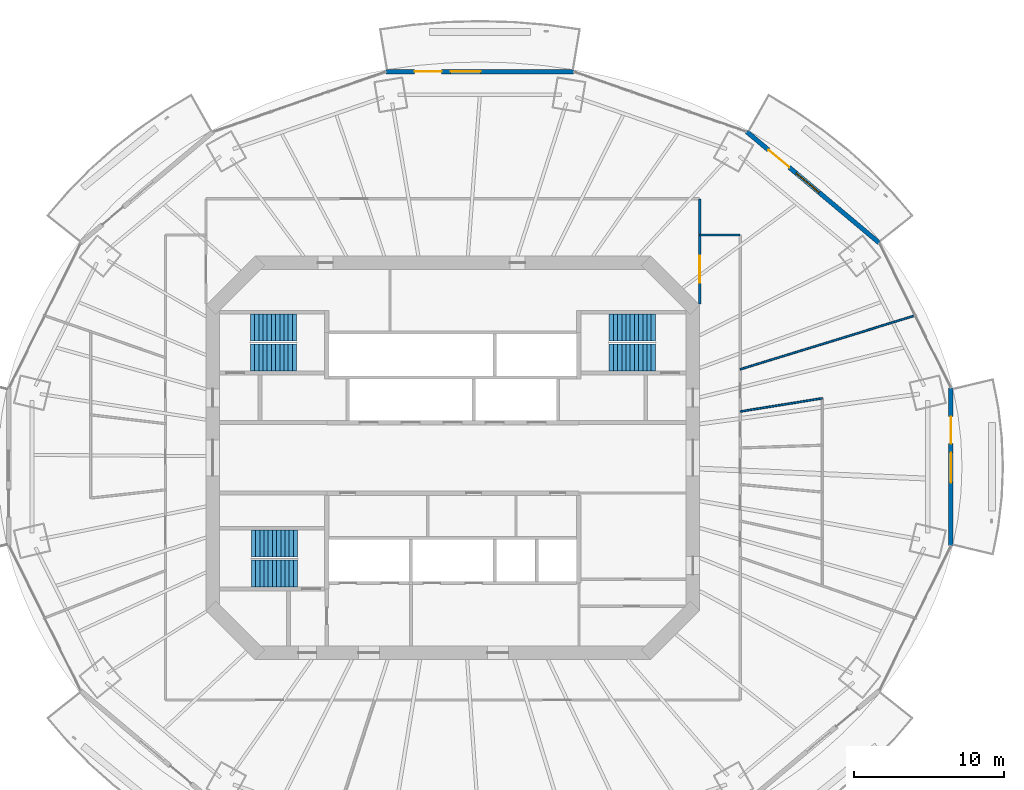
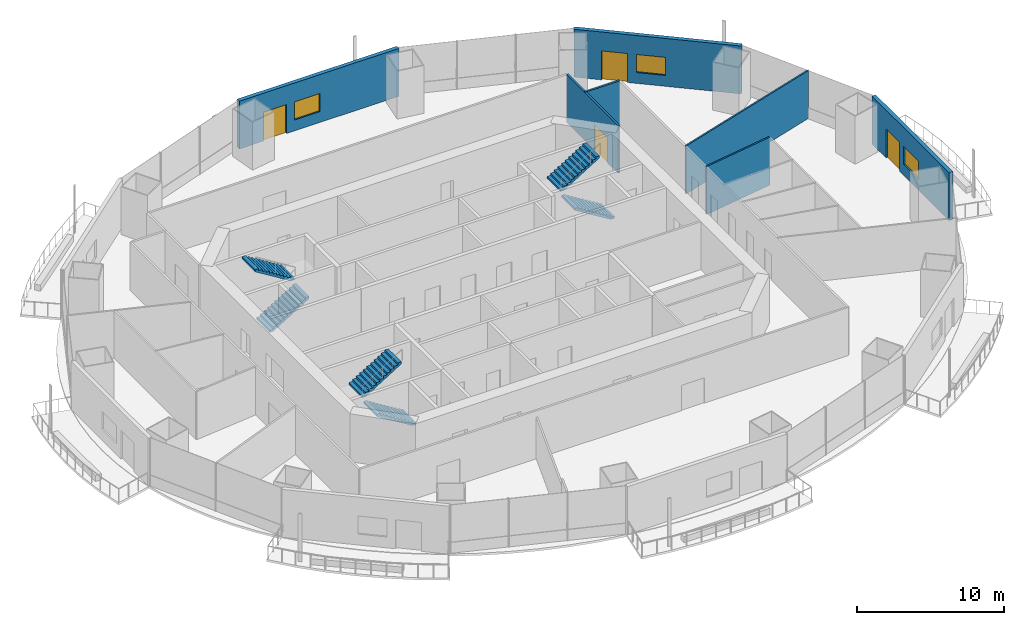
# One storey, part 14 of 20: 7 walls, 6 stair flights, 4 doors, 3 windows, 7 openings, 3 elements without a shape of their own.
"""IFC4 building model written with IfcOpenShell, lengths in metres."""

from ifc_helpers import new_model, si_unit, direction, frame, frame_2d, origin, place, context, subcontext, project, spatial, polyline, rectangle, outline, extrude, material, layer, layer_set, type_object, element, fill, aggregate, save


model = new_model("IFC4")

# Units and contexts
model_context = context("Model", 3, precision=1e-05, world=origin(), true_north=direction((0.0, 1.0)))
body_context = subcontext(model_context, "Body", "Model", "MODEL_VIEW")
ifc_project = project(units=[si_unit("LENGTHUNIT", "METRE"), si_unit("AREAUNIT", "SQUARE_METRE"), si_unit("VOLUMEUNIT", "CUBIC_METRE"), si_unit("PLANEANGLEUNIT", "RADIAN"), si_unit("MASSUNIT", "GRAM", prefix="KILO")], contexts=[model_context])

# Site, building, storey
site_placement = place(None, origin())
site = spatial("IfcSite", under=ifc_project, at=site_placement, CompositionType="ELEMENT")
building_placement = place(site_placement, origin())
building = spatial("IfcBuilding", under=site, at=building_placement, Name="Marenthal Gate Tower", CompositionType="ELEMENT")
storey_placement = place(building_placement, frame((0.0, 0.0, 190.10009765625)))
storey = spatial("IfcBuildingStorey", under=building, at=storey_placement, Name="L41", CompositionType="ELEMENT", Elevation=190.10009765625)

# Walls
ifc_material_1 = material(Name="Gypsum board on steel studs", Category="steel")
ifc_layer_1 = layer(ifc_material_1, 0.1201171875)
ifc_layer_set_1 = layer_set([ifc_layer_1], Name="Partition 120")
wall_type_1 = type_object("IfcWallType", Name="Partition 120", PredefinedType="PARTITIONING", material=ifc_layer_set_1)
wall_1_placement = place(storey_placement, frame((19.14990234375, 5.8935546875, 0.0), z_axis=(0.0, 0.0, 1.0), x_axis=(0.955768190607, 0.29412100541, 0.0)))
element("IfcWall", 1, at=wall_1_placement, inside=storey, type_object=wall_type_1, Name="Partition wall 64", PredefinedType="PARTITIONING", context=body_context, shape_type="SweptSolid", body=[
    extrude(rectangle(XDim=12.199462890625, YDim=0.1201171875, at=frame_2d((6.099609375, 0.0))), origin(), (0.0, 0.0, 1.0), 3.969970703125),
])
wall_2_placement = place(storey_placement, frame((24.61865234375, 3.96337890625, 0.0), z_axis=(0.0, 0.0, 1.0), x_axis=(-0.987288906474, -0.158935883783, 0.0)))
element("IfcWall", 2, at=wall_2_placement, inside=storey, type_object=wall_type_1, Name="Partition wall 70", PredefinedType="PARTITIONING", context=body_context, shape_type="SweptSolid", body=[
    extrude(rectangle(XDim=5.5390625, YDim=0.1201171875, at=frame_2d((2.76953125, 0.0))), origin(), (0.0, 0.0, 1.0), 3.969970703125),
])

# Wall, opening, door
ifc_material_2 = material(Name="Gypsum board on steel studs", Category="steel")
ifc_layer_2 = layer(ifc_material_2, 0.14990234375)
ifc_layer_set_2 = layer_set([ifc_layer_2], Name="Partition 150")
wall_type_2 = type_object("IfcWallType", Name="Partition 150", PredefinedType="PARTITIONING", material=ifc_layer_set_2)
wall_3_placement = place(storey_placement, frame((16.449951171875, 10.25, 0.0), z_axis=(0.0, 0.0, 1.0), x_axis=(0.0, 1.0, 0.0)))
wall_3 = element("IfcWall", 3, at=wall_3_placement, inside=storey, type_object=wall_type_2, Name="Partition wall 60", PredefinedType="PARTITIONING", context=body_context, shape_type="SweptSolid", body=[
    extrude(rectangle(XDim=7.01611328125, YDim=0.14990234375, at=frame_2d((3.508056640625, 0.0))), origin(), (0.0, 0.0, 1.0), 3.969970703125),
])
opening_1_placement = place(wall_3_placement, frame((1.402099609375, 0.0, 0.0)))
opening_1 = element("IfcOpeningElement", 4, at=opening_1_placement, cuts=wall_3, Name="Opening D014.06", PredefinedType="OPENING", context=body_context, shape_type="SweptSolid", body=[
    extrude(rectangle(XDim=1.800048828125, YDim=2.10009765625, at=frame_2d((0.89990234375, 1.050048828125))), frame((0.0, 0.0849609375, 0.0), z_axis=(0.0, -1.0, 0.0), x_axis=(1.0, 0.0, 0.0)), (0.0, 0.0, 1.0), 0.169921875),
])
ifc_material_3 = material(Name="Timber door", Category="wood")
door_type_1 = type_object("IfcDoorType", Name="Double door 1800 x 2100", OperationType="DOUBLE_DOOR_SINGLE_SWING", PredefinedType="DOOR", material=ifc_material_3)
door_1_placement = place(opening_1_placement, origin())
door_1 = element("IfcDoor", 5, at=door_1_placement, inside=storey, type_object=door_type_1, Name="Door D014.06", OperationType="DOUBLE_DOOR_SINGLE_SWING", OverallHeight=2.10009765625, OverallWidth=1.800048828125, PredefinedType="DOOR", context=body_context, shape_type="SweptSolid", body=[
    extrude(rectangle(XDim=1.800048828125, YDim=2.10009765625, at=frame_2d((0.89990234375, 1.050048828125))), frame((0.0, 0.02490234375, 0.0), z_axis=(0.0, -1.0, 0.0), x_axis=(1.0, 0.0, 0.0)), (0.0, 0.0, 1.0), 0.050048828125),
])
fill(opening_1, door_1)

# Wall
wall_4_placement = place(storey_placement, frame((16.449951171875, 14.853759765625, 0.0), z_axis=(0.0, 0.0, 1.0), x_axis=(1.0, 0.0, 0.0)))
element("IfcWall", 6, at=wall_4_placement, inside=storey, type_object=wall_type_2, Name="Partition wall 61", PredefinedType="PARTITIONING", context=body_context, shape_type="SweptSolid", body=[
    extrude(rectangle(XDim=2.699951171875, YDim=0.14990234375, at=frame_2d((1.35009765625, 0.0))), origin(), (0.0, 0.0, 1.0), 3.969970703125),
])

# Wall, openings, door, window
ifc_material_4 = material(Name="Terracotta cladding on insulated concrete-block backing", Category="masonry")
ifc_layer_3 = layer(ifc_material_4, 0.300048828125)
ifc_layer_set_3 = layer_set([ifc_layer_3], Name="Terracotta facade wall 300")
wall_type_3 = type_object("IfcWallType", Name="Terracotta facade wall 300", PredefinedType="SOLIDWALL", material=ifc_layer_set_3)
wall_5_placement = place(storey_placement, frame((28.41943359375, 14.3232421875, 0.0), z_axis=(0.0, 0.0, 1.0), x_axis=(-0.766073485726, 0.642752996468, 0.0)))
wall_5 = element("IfcWall", 7, at=wall_5_placement, inside=storey, type_object=wall_type_3, Name="Terracotta facade wall L41 bay 2", PredefinedType="SOLIDWALL", context=body_context, shape_type="SweptSolid", body=[
    extrude(rectangle(XDim=11.530029296875, YDim=0.300048828125, at=frame_2d((5.76513671875, 0.0))), origin(), (0.0, 0.0, 1.0), 3.969970703125),
])
opening_2_placement = place(wall_5_placement, frame((7.830078125, 0.0, 0.0)))
opening_2 = element("IfcOpeningElement", 8, at=opening_2_placement, cuts=wall_5, Name="Opening BD-L41-02", PredefinedType="OPENING", context=body_context, shape_type="SweptSolid", body=[
    extrude(rectangle(XDim=1.800048828125, YDim=2.39990234375, at=frame_2d((0.89990234375, 1.199951171875))), frame((0.0, 0.16015625, 0.0), z_axis=(0.0, -1.0, 0.0), x_axis=(1.0, 0.0, 0.0)), (0.0, 0.0, 1.0), 0.320068359375),
])
opening_3_placement = place(wall_5_placement, frame((5.22998046875, 0.0, 0.89990234375)))
opening_3 = element("IfcOpeningElement", 9, at=opening_3_placement, cuts=wall_5, Name="Opening WN2-L41-02", PredefinedType="OPENING", context=body_context, shape_type="SweptSolid", body=[
    extrude(rectangle(XDim=2.0, YDim=1.5, at=frame_2d((1.0, 0.75))), frame((0.0, 0.16015625, 0.0), z_axis=(0.0, -1.0, 0.0), x_axis=(1.0, 0.0, 0.0)), (0.0, 0.0, 1.0), 0.320068359375),
])
ifc_material_5 = material(Name="Aluminium and glass", Category="aluminium")
door_type_2 = type_object("IfcDoorType", Name="Balcony door 1800x2400", OperationType="DOUBLE_DOOR_SINGLE_SWING", PredefinedType="DOOR", material=ifc_material_5)
door_2_placement = place(opening_2_placement, origin())
door_2 = element("IfcDoor", 10, at=door_2_placement, inside=storey, type_object=door_type_2, Name="Balcony door L41 bay 2", OperationType="SINGLE_SWING_LEFT", OverallHeight=2.39990234375, OverallWidth=1.800048828125, PredefinedType="DOOR", context=body_context, shape_type="SweptSolid", body=[
    extrude(rectangle(XDim=1.800048828125, YDim=2.39990234375, at=frame_2d((0.89990234375, 1.199951171875))), frame((0.0, 0.02490234375, 0.0), z_axis=(0.0, -1.0, 0.0), x_axis=(1.0, 0.0, 0.0)), (0.0, 0.0, 1.0), 0.050048828125),
])
fill(opening_2, door_2)
ifc_material_6 = material(Name="Aluminium and glass", Category="aluminium")
window_type = type_object("IfcWindowType", Name="Window 2000x1500", PartitioningType="DOUBLE_PANEL_VERTICAL", PredefinedType="WINDOW", material=ifc_material_6)
window_1_placement = place(opening_3_placement, origin())
window_1 = element("IfcWindow", 11, at=window_1_placement, inside=storey, type_object=window_type, Name="Window L41 bay 2", OverallHeight=1.5, OverallWidth=2.0, PartitioningType="SINGLE_PANEL", PredefinedType="WINDOW", context=body_context, shape_type="SweptSolid", body=[
    extrude(rectangle(XDim=2.0, YDim=1.5, at=frame_2d((1.0, 0.75))), frame((0.0, 0.030029296875, 0.0), z_axis=(0.0, -1.0, 0.0), x_axis=(1.0, 0.0, 0.0)), (0.0, 0.0, 1.0), 0.06005859375),
])
fill(opening_3, window_1)

wall_6_placement = place(storey_placement, frame((8.0458984375, 25.744873046875, 0.0), z_axis=(0.0, 0.0, 1.0), x_axis=(-1.0, 0.0, 0.0)))
wall_6 = element("IfcWall", 12, at=wall_6_placement, inside=storey, type_object=wall_type_3, Name="Terracotta facade wall L41 bay 4", PredefinedType="SOLIDWALL", context=body_context, shape_type="SweptSolid", body=[
    extrude(rectangle(XDim=12.49169921875, YDim=0.300048828125, at=frame_2d((6.245849609375, 0.0))), origin(), (0.0, 0.0, 1.0), 3.969970703125),
])
opening_4_placement = place(wall_6_placement, frame((8.79150390625, 0.0, 0.0)))
opening_4 = element("IfcOpeningElement", 13, at=opening_4_placement, cuts=wall_6, Name="Opening BD-L41-04", PredefinedType="OPENING", context=body_context, shape_type="SweptSolid", body=[
    extrude(rectangle(XDim=1.800048828125, YDim=2.39990234375, at=frame_2d((0.89990234375, 1.199951171875))), frame((0.0, 0.16015625, 0.0), z_axis=(0.0, -1.0, 0.0), x_axis=(1.0, 0.0, 0.0)), (0.0, 0.0, 1.0), 0.320068359375),
])
opening_5_placement = place(wall_6_placement, frame((6.191650390625, 0.0, 0.89990234375)))
opening_5 = element("IfcOpeningElement", 14, at=opening_5_placement, cuts=wall_6, Name="Opening WN2-L41-04", PredefinedType="OPENING", context=body_context, shape_type="SweptSolid", body=[
    extrude(rectangle(XDim=2.0, YDim=1.5, at=frame_2d((1.0, 0.75))), frame((0.0, 0.16015625, 0.0), z_axis=(0.0, -1.0, 0.0), x_axis=(1.0, 0.0, 0.0)), (0.0, 0.0, 1.0), 0.320068359375),
])
door_3_placement = place(opening_4_placement, origin())
door_3 = element("IfcDoor", 15, at=door_3_placement, inside=storey, type_object=door_type_2, Name="Balcony door L41 bay 4", OperationType="SINGLE_SWING_LEFT", OverallHeight=2.39990234375, OverallWidth=1.800048828125, PredefinedType="DOOR", context=body_context, shape_type="SweptSolid", body=[
    extrude(rectangle(XDim=1.800048828125, YDim=2.39990234375, at=frame_2d((0.89990234375, 1.199951171875))), frame((0.0, 0.02490234375, 0.0), z_axis=(0.0, -1.0, 0.0), x_axis=(1.0, 0.0, 0.0)), (0.0, 0.0, 1.0), 0.050048828125),
])
fill(opening_4, door_3)
window_2_placement = place(opening_5_placement, origin())
window_2 = element("IfcWindow", 16, at=window_2_placement, inside=storey, type_object=window_type, Name="Window L41 bay 4", OverallHeight=1.5, OverallWidth=2.0, PartitioningType="SINGLE_PANEL", PredefinedType="WINDOW", context=body_context, shape_type="SweptSolid", body=[
    extrude(rectangle(XDim=2.0, YDim=1.5, at=frame_2d((1.0, 0.75))), frame((0.0, 0.030029296875, 0.0), z_axis=(0.0, -1.0, 0.0), x_axis=(1.0, 0.0, 0.0)), (0.0, 0.0, 1.0), 0.06005859375),
])
fill(opening_5, window_2)

wall_7_placement = place(storey_placement, frame((33.19970703125, -5.84033203125, 0.0), z_axis=(0.0, 0.0, 1.0), x_axis=(0.0, 1.0, 0.0)))
wall_7 = element("IfcWall", 17, at=wall_7_placement, inside=storey, type_object=wall_type_3, Name="Terracotta facade wall L41 bay 16", PredefinedType="SOLIDWALL", context=body_context, shape_type="SweptSolid", body=[
    extrude(rectangle(XDim=10.480712890625, YDim=0.300048828125, at=frame_2d((5.240234375, 0.0))), origin(), (0.0, 0.0, 1.0), 3.969970703125),
])
opening_6_placement = place(wall_7_placement, frame((6.780517578125, 0.0, 0.0)))
opening_6 = element("IfcOpeningElement", 18, at=opening_6_placement, cuts=wall_7, Name="Opening BD-L41-16", PredefinedType="OPENING", context=body_context, shape_type="SweptSolid", body=[
    extrude(rectangle(XDim=1.800048828125, YDim=2.39990234375, at=frame_2d((0.89990234375, 1.199951171875))), frame((0.0, 0.16015625, 0.0), z_axis=(0.0, -1.0, 0.0), x_axis=(1.0, 0.0, 0.0)), (0.0, 0.0, 1.0), 0.320068359375),
])
opening_7_placement = place(wall_7_placement, frame((4.1806640625, 0.0, 0.89990234375)))
opening_7 = element("IfcOpeningElement", 19, at=opening_7_placement, cuts=wall_7, Name="Opening WN2-L41-16", PredefinedType="OPENING", context=body_context, shape_type="SweptSolid", body=[
    extrude(rectangle(XDim=2.0, YDim=1.5, at=frame_2d((1.0, 0.75))), frame((0.0, 0.16015625, 0.0), z_axis=(0.0, -1.0, 0.0), x_axis=(1.0, 0.0, 0.0)), (0.0, 0.0, 1.0), 0.320068359375),
])
door_4_placement = place(opening_6_placement, origin())
door_4 = element("IfcDoor", 20, at=door_4_placement, inside=storey, type_object=door_type_2, Name="Balcony door L41 bay 16", OperationType="SINGLE_SWING_LEFT", OverallHeight=2.39990234375, OverallWidth=1.800048828125, PredefinedType="DOOR", context=body_context, shape_type="SweptSolid", body=[
    extrude(rectangle(XDim=1.800048828125, YDim=2.39990234375, at=frame_2d((0.89990234375, 1.199951171875))), frame((0.0, 0.02490234375, 0.0), z_axis=(0.0, -1.0, 0.0), x_axis=(1.0, 0.0, 0.0)), (0.0, 0.0, 1.0), 0.050048828125),
])
fill(opening_6, door_4)
window_3_placement = place(opening_7_placement, origin())
window_3 = element("IfcWindow", 21, at=window_3_placement, inside=storey, type_object=window_type, Name="Window L41 bay 16", OverallHeight=1.5, OverallWidth=2.0, PartitioningType="SINGLE_PANEL", PredefinedType="WINDOW", context=body_context, shape_type="SweptSolid", body=[
    extrude(rectangle(XDim=2.0, YDim=1.5, at=frame_2d((1.0, 0.75))), frame((0.0, 0.030029296875, 0.0), z_axis=(0.0, -1.0, 0.0), x_axis=(1.0, 0.0, 0.0)), (0.0, 0.0, 1.0), 0.06005859375),
])
fill(opening_7, window_3)

# Stair, stair flights
ifc_material_7 = material(Name="Concrete 40 MPa", Category="concrete")
stair_type = type_object("IfcStairType", Name="Exit stair 1800", PredefinedType="HALF_TURN_STAIR", material=ifc_material_7)
stair_1_placement = place(storey_placement, origin())
stair_1 = element("IfcStair", 22, at=stair_1_placement, inside=storey, type_object=stair_type, Name="Stair ST1", PredefinedType="HALF_TURN_STAIR")
ifc_material_8 = material(Name="Concrete 40 MPa", Category="concrete")
stair_flight_type = type_object("IfcStairFlightType", Name="Stair flight 1800", PredefinedType="STRAIGHT", material=ifc_material_8)
stair_flight_1_placement = place(storey_placement, frame((-13.5, 6.675048828125, 0.0), z_axis=(0.0, 0.0, 1.0), x_axis=(1.0, 0.0, 0.0)))
stair_flight_1 = element("IfcStairFlight", 23, at=stair_flight_1_placement, type_object=stair_flight_type, Name="ST1 flight 1", NumberOfRisers=12, NumberOfTreads=11, PredefinedType="STRAIGHT", RiserHeight=0.172916667, TreadLength=0.28, context=body_context, shape_type="SweptSolid", body=[
    extrude(outline(polyline([(0.0, 0.0), (0.0, 0.1728515625), (0.280029296875, 0.1728515625), (0.280029296875, 0.345947265625), (0.56005859375, 0.345947265625), (0.56005859375, 0.518798828125), (0.840087890625, 0.518798828125), (0.840087890625, 0.691650390625), (1.1201171875, 0.691650390625), (1.1201171875, 0.864501953125), (1.39990234375, 0.864501953125), (1.39990234375, 1.03759765625), (1.679931640625, 1.03759765625), (1.679931640625, 1.21044921875), (1.9599609375, 1.21044921875), (1.9599609375, 1.38330078125), (2.239990234375, 1.38330078125), (2.239990234375, 1.55615234375), (2.52001953125, 1.55615234375), (2.52001953125, 1.729248046875), (2.800048828125, 1.729248046875), (2.800048828125, 1.902099609375), (3.080078125, 1.902099609375), (3.080078125, 2.074951171875), (3.080078125, 1.725830078125), (0.285400390625, 0.0), (0.0, 0.0)])), frame((0.0, 0.89990234375, 0.0), z_axis=(0.0, -1.0, 0.0), x_axis=(1.0, 0.0, 0.0)), (0.0, 0.0, 1.0), 1.800048828125),
])
stair_flight_2_placement = place(storey_placement, frame((-10.419921875, 8.675048828125, 2.074951171875), z_axis=(0.0, 0.0, 1.0), x_axis=(-1.0, 0.0, 0.0)))
stair_flight_2 = element("IfcStairFlight", 24, at=stair_flight_2_placement, type_object=stair_flight_type, Name="ST1 flight 2", NumberOfRisers=12, NumberOfTreads=11, PredefinedType="STRAIGHT", RiserHeight=0.172916667, TreadLength=0.28, context=body_context, shape_type="SweptSolid", body=[
    extrude(outline(polyline([(0.0, 0.0), (0.0, 0.1728515625), (0.280029296875, 0.1728515625), (0.280029296875, 0.345947265625), (0.56005859375, 0.345947265625), (0.56005859375, 0.518798828125), (0.840087890625, 0.518798828125), (0.840087890625, 0.691650390625), (1.1201171875, 0.691650390625), (1.1201171875, 0.864501953125), (1.39990234375, 0.864501953125), (1.39990234375, 1.03759765625), (1.679931640625, 1.03759765625), (1.679931640625, 1.21044921875), (1.9599609375, 1.21044921875), (1.9599609375, 1.38330078125), (2.239990234375, 1.38330078125), (2.239990234375, 1.55615234375), (2.52001953125, 1.55615234375), (2.52001953125, 1.729248046875), (2.800048828125, 1.729248046875), (2.800048828125, 1.902099609375), (3.080078125, 1.902099609375), (3.080078125, 2.074951171875), (3.080078125, 1.725830078125), (0.285400390625, 0.0), (0.0, 0.0)])), frame((0.0, 0.89990234375, 0.0), z_axis=(0.0, -1.0, 0.0), x_axis=(1.0, 0.0, 0.0)), (0.0, 0.0, 1.0), 1.800048828125),
])
aggregate(stair_1, [stair_flight_1, stair_flight_2])

stair_2_placement = place(storey_placement, origin())
stair_2 = element("IfcStair", 25, at=stair_2_placement, inside=storey, type_object=stair_type, Name="Stair ST2", PredefinedType="HALF_TURN_STAIR")
stair_flight_3_placement = place(storey_placement, frame((-10.35009765625, -7.72509765625, 0.0), z_axis=(0.0, 0.0, 1.0), x_axis=(-1.0, 0.0, 0.0)))
stair_flight_3 = element("IfcStairFlight", 26, at=stair_flight_3_placement, type_object=stair_flight_type, Name="ST2 flight 1", NumberOfRisers=12, NumberOfTreads=11, PredefinedType="STRAIGHT", RiserHeight=0.172916667, TreadLength=0.28, context=body_context, shape_type="SweptSolid", body=[
    extrude(outline(polyline([(0.0, 0.0), (0.0, 0.1728515625), (0.280029296875, 0.1728515625), (0.280029296875, 0.345947265625), (0.56005859375, 0.345947265625), (0.56005859375, 0.518798828125), (0.840087890625, 0.518798828125), (0.840087890625, 0.691650390625), (1.1201171875, 0.691650390625), (1.1201171875, 0.864501953125), (1.39990234375, 0.864501953125), (1.39990234375, 1.03759765625), (1.679931640625, 1.03759765625), (1.679931640625, 1.21044921875), (1.9599609375, 1.21044921875), (1.9599609375, 1.38330078125), (2.239990234375, 1.38330078125), (2.239990234375, 1.55615234375), (2.52001953125, 1.55615234375), (2.52001953125, 1.729248046875), (2.800048828125, 1.729248046875), (2.800048828125, 1.902099609375), (3.080078125, 1.902099609375), (3.080078125, 2.074951171875), (3.080078125, 1.725830078125), (0.285400390625, 0.0), (0.0, 0.0)])), frame((0.0, 0.89990234375, 0.0), z_axis=(0.0, -1.0, 0.0), x_axis=(1.0, 0.0, 0.0)), (0.0, 0.0, 1.0), 1.800048828125),
])
stair_flight_4_placement = place(storey_placement, frame((-13.429931640625, -5.72509765625, 2.074951171875), z_axis=(0.0, 0.0, 1.0), x_axis=(1.0, 0.0, 0.0)))
stair_flight_4 = element("IfcStairFlight", 27, at=stair_flight_4_placement, type_object=stair_flight_type, Name="ST2 flight 2", NumberOfRisers=12, NumberOfTreads=11, PredefinedType="STRAIGHT", RiserHeight=0.172916667, TreadLength=0.28, context=body_context, shape_type="SweptSolid", body=[
    extrude(outline(polyline([(0.0, 0.0), (0.0, 0.1728515625), (0.280029296875, 0.1728515625), (0.280029296875, 0.345947265625), (0.56005859375, 0.345947265625), (0.56005859375, 0.518798828125), (0.840087890625, 0.518798828125), (0.840087890625, 0.691650390625), (1.1201171875, 0.691650390625), (1.1201171875, 0.864501953125), (1.39990234375, 0.864501953125), (1.39990234375, 1.03759765625), (1.679931640625, 1.03759765625), (1.679931640625, 1.21044921875), (1.9599609375, 1.21044921875), (1.9599609375, 1.38330078125), (2.239990234375, 1.38330078125), (2.239990234375, 1.55615234375), (2.52001953125, 1.55615234375), (2.52001953125, 1.729248046875), (2.800048828125, 1.729248046875), (2.800048828125, 1.902099609375), (3.080078125, 1.902099609375), (3.080078125, 2.074951171875), (3.080078125, 1.725830078125), (0.285400390625, 0.0), (0.0, 0.0)])), frame((0.0, 0.89990234375, 0.0), z_axis=(0.0, -1.0, 0.0), x_axis=(1.0, 0.0, 0.0)), (0.0, 0.0, 1.0), 1.800048828125),
])
aggregate(stair_2, [stair_flight_3, stair_flight_4])

stair_3_placement = place(storey_placement, origin())
stair_3 = element("IfcStair", 28, at=stair_3_placement, inside=storey, type_object=stair_type, Name="Stair ST3", PredefinedType="HALF_TURN_STAIR")
stair_flight_5_placement = place(storey_placement, frame((13.5, 6.675048828125, 0.0), z_axis=(0.0, 0.0, 1.0), x_axis=(-1.0, 0.0, 0.0)))
stair_flight_5 = element("IfcStairFlight", 29, at=stair_flight_5_placement, type_object=stair_flight_type, Name="ST3 flight 1", NumberOfRisers=12, NumberOfTreads=11, PredefinedType="STRAIGHT", RiserHeight=0.172916667, TreadLength=0.28, context=body_context, shape_type="SweptSolid", body=[
    extrude(outline(polyline([(0.0, 0.0), (0.0, 0.1728515625), (0.280029296875, 0.1728515625), (0.280029296875, 0.345947265625), (0.56005859375, 0.345947265625), (0.56005859375, 0.518798828125), (0.840087890625, 0.518798828125), (0.840087890625, 0.691650390625), (1.1201171875, 0.691650390625), (1.1201171875, 0.864501953125), (1.39990234375, 0.864501953125), (1.39990234375, 1.03759765625), (1.679931640625, 1.03759765625), (1.679931640625, 1.21044921875), (1.9599609375, 1.21044921875), (1.9599609375, 1.38330078125), (2.239990234375, 1.38330078125), (2.239990234375, 1.55615234375), (2.52001953125, 1.55615234375), (2.52001953125, 1.729248046875), (2.800048828125, 1.729248046875), (2.800048828125, 1.902099609375), (3.080078125, 1.902099609375), (3.080078125, 2.074951171875), (3.080078125, 1.725830078125), (0.285400390625, 0.0), (0.0, 0.0)])), frame((0.0, 0.89990234375, 0.0), z_axis=(0.0, -1.0, 0.0), x_axis=(1.0, 0.0, 0.0)), (0.0, 0.0, 1.0), 1.800048828125),
])
stair_flight_6_placement = place(storey_placement, frame((10.419921875, 8.675048828125, 2.074951171875), z_axis=(0.0, 0.0, 1.0), x_axis=(1.0, 0.0, 0.0)))
stair_flight_6 = element("IfcStairFlight", 30, at=stair_flight_6_placement, type_object=stair_flight_type, Name="ST3 flight 2", NumberOfRisers=12, NumberOfTreads=11, PredefinedType="STRAIGHT", RiserHeight=0.172916667, TreadLength=0.28, context=body_context, shape_type="SweptSolid", body=[
    extrude(outline(polyline([(0.0, 0.0), (0.0, 0.1728515625), (0.280029296875, 0.1728515625), (0.280029296875, 0.345947265625), (0.56005859375, 0.345947265625), (0.56005859375, 0.518798828125), (0.840087890625, 0.518798828125), (0.840087890625, 0.691650390625), (1.1201171875, 0.691650390625), (1.1201171875, 0.864501953125), (1.39990234375, 0.864501953125), (1.39990234375, 1.03759765625), (1.679931640625, 1.03759765625), (1.679931640625, 1.21044921875), (1.9599609375, 1.21044921875), (1.9599609375, 1.38330078125), (2.239990234375, 1.38330078125), (2.239990234375, 1.55615234375), (2.52001953125, 1.55615234375), (2.52001953125, 1.729248046875), (2.800048828125, 1.729248046875), (2.800048828125, 1.902099609375), (3.080078125, 1.902099609375), (3.080078125, 2.074951171875), (3.080078125, 1.725830078125), (0.285400390625, 0.0), (0.0, 0.0)])), frame((0.0, 0.89990234375, 0.0), z_axis=(0.0, -1.0, 0.0), x_axis=(1.0, 0.0, 0.0)), (0.0, 0.0, 1.0), 1.800048828125),
])
aggregate(stair_3, [stair_flight_5, stair_flight_6])

save(model, "model.ifc")
